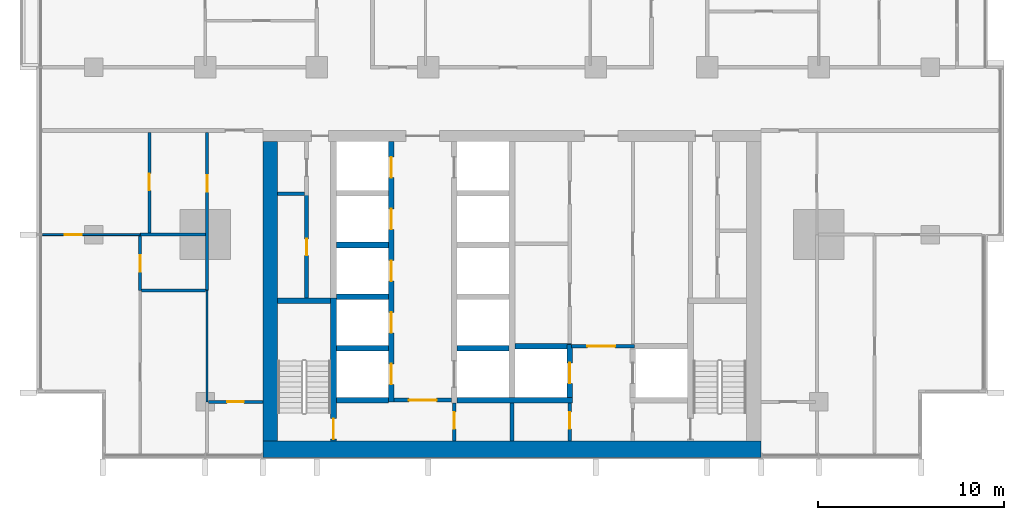
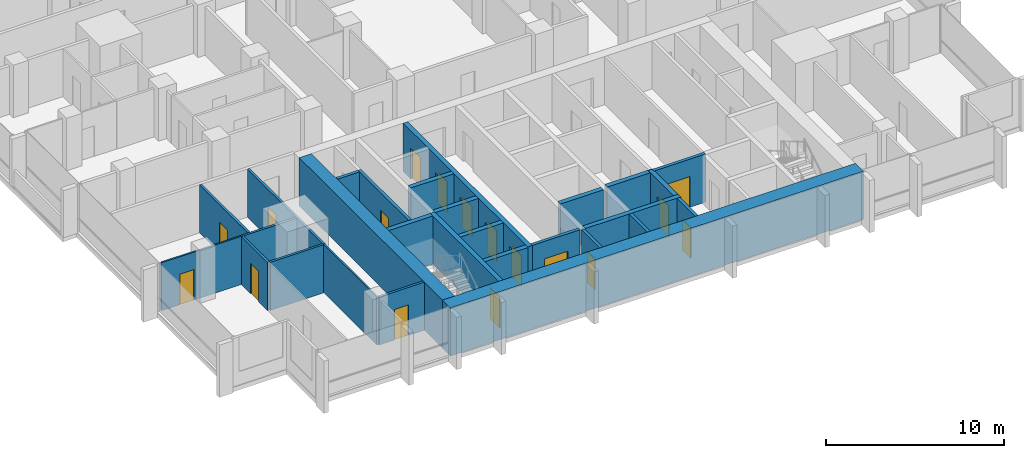
# One storey, part 7 of 18: 28 walls, 17 doors, 17 openings.
"""IFC4 building model written with IfcOpenShell, lengths in metres."""

from ifc_helpers import new_model, si_unit, direction, frame, frame_2d, origin, place, context, subcontext, project, spatial, rectangle, extrude, material, layer, layer_set, type_object, element, fill, save


model = new_model("IFC4")

# Units and contexts
model_context = context("Model", 3, precision=1e-05, world=origin(), true_north=direction((0.0, 1.0)))
body_context = subcontext(model_context, "Body", "Model", "MODEL_VIEW")
ifc_project = project(units=[si_unit("LENGTHUNIT", "METRE"), si_unit("AREAUNIT", "SQUARE_METRE"), si_unit("VOLUMEUNIT", "CUBIC_METRE"), si_unit("PLANEANGLEUNIT", "RADIAN"), si_unit("MASSUNIT", "GRAM", prefix="KILO")], contexts=[model_context])

# Site, building, storey
site_placement = place(None, origin())
site = spatial("IfcSite", under=ifc_project, at=site_placement, CompositionType="ELEMENT")
building_placement = place(site_placement, origin())
building = spatial("IfcBuilding", under=site, at=building_placement, Name="Finial Court Residences", CompositionType="ELEMENT")
storey_placement = place(building_placement, frame((0.0, 0.0, 109.89990234375)))
storey = spatial("IfcBuildingStorey", under=building, at=storey_placement, Name="L27", CompositionType="ELEMENT", Elevation=109.89990234375)

# Walls
ifc_material_1 = material(Name="Concrete C70/85", Category="concrete")
ifc_layer_1 = layer(ifc_material_1, 0.800048828125)
ifc_layer_set_1 = layer_set([ifc_layer_1], Name="Core outer wall 800 Concrete C70/85")
wall_type_1 = type_object("IfcWallType", Name="Core outer wall 800 Concrete C70/85", PredefinedType="SHEAR", material=ifc_layer_set_1)
wall_1_placement = place(storey_placement, frame((-13.0, -24.60009765625, 0.0), z_axis=(0.0, 0.0, 1.0), x_axis=(0.0, 1.0, 0.0)))
element("IfcWall", 1, at=wall_1_placement, inside=storey, type_object=wall_type_1, Name="Core outer wall L27-03", PredefinedType="SHEAR", context=body_context, shape_type="SweptSolid", body=[
    extrude(rectangle(XDim=16.10009765625, YDim=0.800048828125, at=frame_2d((8.050048828125, 0.0))), origin(), (0.0, 0.0, 1.0), 3.300048828125),
])
ifc_layer_2 = layer(ifc_material_1, 0.89990234375)
ifc_layer_set_2 = layer_set([ifc_layer_2], Name="Core south facade wall 900 Concrete C70/85")
wall_type_2 = type_object("IfcWallType", Name="Core south facade wall 900 Concrete C70/85", PredefinedType="SHEAR", material=ifc_layer_set_2)
wall_2_placement = place(storey_placement, frame((-13.39990234375, -25.050048828125, 0.0), z_axis=(0.0, 0.0, 1.0), x_axis=(1.0, 0.0, 0.0)))
element("IfcWall", 2, at=wall_2_placement, inside=storey, type_object=wall_type_2, Name="Core outer wall L27-01", PredefinedType="SHEAR", context=body_context, shape_type="SweptSolid", body=[
    extrude(rectangle(XDim=26.7998046875, YDim=0.89990234375, at=frame_2d((13.39990234375, 0.0))), origin(), (0.0, 0.0, 1.0), 3.300048828125),
])

# Wall, opening, door
ifc_material_2 = material(Name="Fire-rated gypsum board partition")
ifc_layer_3 = layer(ifc_material_2, 0.199951171875)
ifc_layer_set_3 = layer_set([ifc_layer_3], Name="Firefighting lobby wall 200 EI 120")
wall_type_3 = type_object("IfcWallType", Name="Firefighting lobby wall 200 EI 120", PredefinedType="PARTITIONING", material=ifc_layer_set_3)
wall_3_placement = place(storey_placement, frame((6.574951171875, -19.5, 0.0), z_axis=(0.0, 0.0, 1.0), x_axis=(-1.0, 0.0, 0.0)))
wall_3 = element("IfcWall", 3, at=wall_3_placement, inside=storey, type_object=wall_type_3, Name="Core partition L27-08", PredefinedType="PARTITIONING", context=body_context, shape_type="SweptSolid", body=[
    extrude(rectangle(XDim=3.375, YDim=0.199951171875, at=frame_2d((1.6875, 0.0))), origin(), (0.0, 0.0, 1.0), 3.300048828125),
])
opening_1_placement = place(wall_3_placement, frame((1.02490234375, 0.0, 0.0)))
opening_1 = element("IfcOpeningElement", 4, at=opening_1_placement, cuts=wall_3, Name="Opening L27-C02", PredefinedType="OPENING", context=body_context, shape_type="SweptSolid", body=[
    extrude(rectangle(XDim=1.5, YDim=2.10009765625, at=frame_2d((0.75, 1.050048828125))), frame((0.0, 0.10986328125, 0.0), z_axis=(0.0, -1.0, 0.0), x_axis=(1.0, 0.0, 0.0)), (0.0, 0.0, 1.0), 0.219970703125),
])
ifc_material_3 = material(Name="Steel fire door", Category="steel")
door_type_1 = type_object("IfcDoorType", Name="Firefighting lobby door 1500 x 2100 EI 90", OperationType="DOUBLE_DOOR_SINGLE_SWING", PredefinedType="DOOR", material=ifc_material_3)
door_1_placement = place(opening_1_placement, origin())
door_1 = element("IfcDoor", 5, at=door_1_placement, inside=storey, type_object=door_type_1, Name="Firefighting lobby door L27-C02", OperationType="DOUBLE_DOOR_SINGLE_SWING", OverallHeight=2.10009765625, OverallWidth=1.5, PredefinedType="DOOR", context=body_context, shape_type="SweptSolid", body=[
    extrude(rectangle(XDim=1.5, YDim=2.10009765625, at=frame_2d((0.75, 1.050048828125))), frame((0.0, 0.02490234375, 0.0), z_axis=(0.0, -1.0, 0.0), x_axis=(1.0, 0.0, 0.0)), (0.0, 0.0, 1.0), 0.050048828125),
])
fill(opening_1, door_1)

wall_4_placement = place(storey_placement, frame((3.10009765625, -24.60009765625, 0.0), z_axis=(0.0, 0.0, 1.0), x_axis=(0.0, 1.0, 0.0)))
wall_4 = element("IfcWall", 6, at=wall_4_placement, inside=storey, type_object=wall_type_3, Name="Core partition L27-30", PredefinedType="PARTITIONING", context=body_context, shape_type="SweptSolid", body=[
    extrude(rectangle(XDim=2.050048828125, YDim=0.199951171875, at=frame_2d((1.02490234375, 0.0))), origin(), (0.0, 0.0, 1.0), 3.300048828125),
])
opening_2_placement = place(wall_4_placement, frame((0.64990234375, 0.0, 0.0)))
opening_2 = element("IfcOpeningElement", 7, at=opening_2_placement, cuts=wall_4, Name="Opening L27-C06", PredefinedType="OPENING", context=body_context, shape_type="SweptSolid", body=[
    extrude(rectangle(XDim=0.89990234375, YDim=2.10009765625, at=frame_2d((0.449951171875, 1.050048828125))), frame((0.0, 0.10986328125, 0.0), z_axis=(0.0, -1.0, 0.0), x_axis=(1.0, 0.0, 0.0)), (0.0, 0.0, 1.0), 0.219970703125),
])
door_type_2 = type_object("IfcDoorType", Name="Riser room door 900 x 2100 EI 90", OperationType="NOTDEFINED", PredefinedType="DOOR", material=ifc_material_3)
door_2_placement = place(opening_2_placement, origin())
door_2 = element("IfcDoor", 8, at=door_2_placement, inside=storey, type_object=door_type_2, Name="Riser room door L27-C06", OperationType="SINGLE_SWING_LEFT", OverallHeight=2.10009765625, OverallWidth=0.89990234375, PredefinedType="DOOR", context=body_context, shape_type="SweptSolid", body=[
    extrude(rectangle(XDim=0.89990234375, YDim=2.10009765625, at=frame_2d((0.449951171875, 1.050048828125))), frame((0.0, 0.02490234375, 0.0), z_axis=(0.0, -1.0, 0.0), x_axis=(1.0, 0.0, 0.0)), (0.0, 0.0, 1.0), 0.050048828125),
])
fill(opening_2, door_2)

ifc_material_4 = material(Name="Gypsum board")
ifc_layer_4 = layer(ifc_material_4, 0.012451171875)
ifc_material_5 = material(Name="Mineral wool in light-gauge frame")
ifc_layer_5 = layer(ifc_material_5, 0.074951171875)
ifc_layer_6 = layer(ifc_material_4, 0.012451171875)
ifc_layer_set_4 = layer_set([ifc_layer_4, ifc_layer_5, ifc_layer_6], Name="Gypsum board partition 100")
wall_type_4 = type_object("IfcWallType", Name="Gypsum board partition 100", PredefinedType="PARTITIONING", material=ifc_layer_set_4)
wall_5_placement = place(storey_placement, frame((-25.25, -13.5, 0.0), z_axis=(0.0, 0.0, 1.0), x_axis=(1.0, 0.0, 0.0)))
wall_5 = element("IfcWall", 9, at=wall_5_placement, inside=storey, type_object=wall_type_4, Name="Partition L27-003", PredefinedType="PARTITIONING", context=body_context, shape_type="SweptSolid", body=[
    extrude(rectangle(XDim=5.25, YDim=0.10009765625, at=frame_2d((2.625, 0.0))), origin(), (0.0, 0.0, 1.0), 3.300048828125),
])
opening_3_placement = place(wall_5_placement, frame((1.199951171875, 0.0, 0.0)))
opening_3 = element("IfcOpeningElement", 10, at=opening_3_placement, cuts=wall_5, Name="Opening L27-D003", PredefinedType="OPENING", context=body_context, shape_type="SweptSolid", body=[
    extrude(rectangle(XDim=0.89990234375, YDim=2.10009765625, at=frame_2d((0.449951171875, 1.050048828125))), frame((0.0, 0.06005859375, 0.0), z_axis=(0.0, -1.0, 0.0), x_axis=(1.0, 0.0, 0.0)), (0.0, 0.0, 1.0), 0.1201171875),
])
ifc_material_6 = material(Name="Timber door leaf in timber frame", Category="wood")
door_type_3 = type_object("IfcDoorType", Name="Door set 900 x 2100", OperationType="SINGLE_SWING_LEFT", PredefinedType="DOOR", material=ifc_material_6)
door_3_placement = place(opening_3_placement, origin())
door_3 = element("IfcDoor", 11, at=door_3_placement, inside=storey, type_object=door_type_3, Name="Door L27-D003", OperationType="SINGLE_SWING_LEFT", OverallHeight=2.10009765625, OverallWidth=0.89990234375, PredefinedType="DOOR", context=body_context, shape_type="SweptSolid", body=[
    extrude(rectangle(XDim=0.89990234375, YDim=2.10009765625, at=frame_2d((0.449951171875, 1.050048828125))), frame((0.0, 0.02490234375, 0.0), z_axis=(0.0, -1.0, 0.0), x_axis=(1.0, 0.0, 0.0)), (0.0, 0.0, 1.0), 0.050048828125),
])
fill(opening_3, door_3)

# Wall
wall_6_placement = place(storey_placement, frame((-16.39990234375, -22.5, 0.0), z_axis=(0.0, 0.0, 1.0), x_axis=(0.0, 1.0, 0.0)))
element("IfcWall", 12, at=wall_6_placement, inside=storey, type_object=wall_type_4, Name="Partition L27-055", PredefinedType="PARTITIONING", context=body_context, shape_type="SweptSolid", body=[
    extrude(rectangle(XDim=6.0, YDim=0.10009765625, at=frame_2d((3.0, 0.0))), origin(), (0.0, 0.0, 1.0), 3.300048828125),
])

# Wall, opening, door
ifc_material_7 = material(Name="Moisture-resistant gypsum board")
ifc_layer_7 = layer(ifc_material_7, 0.012451171875)
ifc_layer_8 = layer(ifc_material_5, 0.125)
ifc_layer_9 = layer(ifc_material_7, 0.012451171875)
ifc_layer_set_5 = layer_set([ifc_layer_7, ifc_layer_8, ifc_layer_9], Name="Gypsum board wet-area partition 150")
wall_type_5 = type_object("IfcWallType", Name="Gypsum board wet-area partition 150", PredefinedType="PARTITIONING", material=ifc_layer_set_5)
wall_7_placement = place(storey_placement, frame((-16.324951171875, -22.5, 0.0), z_axis=(0.0, 0.0, 1.0), x_axis=(1.0, 0.0, 0.0)))
wall_7 = element("IfcWall", 13, at=wall_7_placement, inside=storey, type_object=wall_type_5, Name="Partition L27-000", PredefinedType="PARTITIONING", context=body_context, shape_type="SweptSolid", body=[
    extrude(rectangle(XDim=2.925048828125, YDim=0.14990234375, at=frame_2d((1.46240234375, 0.0))), origin(), (0.0, 0.0, 1.0), 3.300048828125),
])
opening_4_placement = place(wall_7_placement, frame((1.0, 0.0, 0.0)))
opening_4 = element("IfcOpeningElement", 14, at=opening_4_placement, cuts=wall_7, Name="Opening L27-D001", PredefinedType="OPENING", context=body_context, shape_type="SweptSolid", body=[
    extrude(rectangle(XDim=0.89990234375, YDim=2.10009765625, at=frame_2d((0.449951171875, 1.050048828125))), frame((0.0, 0.0849609375, 0.0), z_axis=(0.0, -1.0, 0.0), x_axis=(1.0, 0.0, 0.0)), (0.0, 0.0, 1.0), 0.169921875),
])
door_4_placement = place(opening_4_placement, origin())
door_4 = element("IfcDoor", 15, at=door_4_placement, inside=storey, type_object=door_type_3, Name="Door L27-D001", OperationType="SINGLE_SWING_RIGHT", OverallHeight=2.10009765625, OverallWidth=0.89990234375, PredefinedType="DOOR", context=body_context, shape_type="SweptSolid", body=[
    extrude(rectangle(XDim=0.89990234375, YDim=2.10009765625, at=frame_2d((0.449951171875, 1.050048828125))), frame((0.0, 0.02490234375, 0.0), z_axis=(0.0, -1.0, 0.0), x_axis=(1.0, 0.0, 0.0)), (0.0, 0.0, 1.0), 0.050048828125),
])
fill(opening_4, door_4)

# Walls
wall_8_placement = place(storey_placement, frame((-19.925048828125, -16.5, 0.0), z_axis=(0.0, 0.0, 1.0), x_axis=(1.0, 0.0, 0.0)))
element("IfcWall", 16, at=wall_8_placement, inside=storey, type_object=wall_type_5, Name="Partition L27-002", PredefinedType="PARTITIONING", context=body_context, shape_type="SweptSolid", body=[
    extrude(rectangle(XDim=3.449951171875, YDim=0.14990234375, at=frame_2d((1.72509765625, 0.0))), origin(), (0.0, 0.0, 1.0), 3.300048828125),
])
wall_9_placement = place(storey_placement, frame((-20.0, -13.5, 0.0), z_axis=(0.0, 0.0, 1.0), x_axis=(1.0, 0.0, 0.0)))
element("IfcWall", 17, at=wall_9_placement, inside=storey, type_object=wall_type_5, Name="Partition L27-005", PredefinedType="PARTITIONING", context=body_context, shape_type="SweptSolid", body=[
    extrude(rectangle(XDim=3.52490234375, YDim=0.14990234375, at=frame_2d((1.762451171875, 0.0))), origin(), (0.0, 0.0, 1.0), 3.300048828125),
])

# Wall, opening, door
wall_10_placement = place(storey_placement, frame((-20.0, -16.5, 0.0), z_axis=(0.0, 0.0, 1.0), x_axis=(0.0, 1.0, 0.0)))
wall_10 = element("IfcWall", 18, at=wall_10_placement, inside=storey, type_object=wall_type_5, Name="Partition L27-045", PredefinedType="PARTITIONING", context=body_context, shape_type="SweptSolid", body=[
    extrude(rectangle(XDim=2.925048828125, YDim=0.14990234375, at=frame_2d((1.46240234375, 0.0))), origin(), (0.0, 0.0, 1.0), 3.300048828125),
])
opening_5_placement = place(wall_10_placement, frame((1.0, 0.0, 0.0)))
opening_5 = element("IfcOpeningElement", 19, at=opening_5_placement, cuts=wall_10, Name="Opening L27-D035", PredefinedType="OPENING", context=body_context, shape_type="SweptSolid", body=[
    extrude(rectangle(XDim=0.89990234375, YDim=2.10009765625, at=frame_2d((0.449951171875, 1.050048828125))), frame((0.0, 0.0849609375, 0.0), z_axis=(0.0, -1.0, 0.0), x_axis=(1.0, 0.0, 0.0)), (0.0, 0.0, 1.0), 0.169921875),
])
door_5_placement = place(opening_5_placement, origin())
door_5 = element("IfcDoor", 20, at=door_5_placement, inside=storey, type_object=door_type_3, Name="Door L27-D035", OperationType="SINGLE_SWING_LEFT", OverallHeight=2.10009765625, OverallWidth=0.89990234375, PredefinedType="DOOR", context=body_context, shape_type="SweptSolid", body=[
    extrude(rectangle(XDim=0.89990234375, YDim=2.10009765625, at=frame_2d((0.449951171875, 1.050048828125))), frame((0.0, 0.02490234375, 0.0), z_axis=(0.0, -1.0, 0.0), x_axis=(1.0, 0.0, 0.0)), (0.0, 0.0, 1.0), 0.050048828125),
])
fill(opening_5, door_5)

wall_11_placement = place(storey_placement, frame((-19.5, -13.425048828125, 0.0), z_axis=(0.0, 0.0, 1.0), x_axis=(0.0, 1.0, 0.0)))
wall_11 = element("IfcWall", 21, at=wall_11_placement, inside=storey, type_object=wall_type_5, Name="Partition L27-048", PredefinedType="PARTITIONING", context=body_context, shape_type="SweptSolid", body=[
    extrude(rectangle(XDim=5.425048828125, YDim=0.14990234375, at=frame_2d((2.71240234375, 0.0))), origin(), (0.0, 0.0, 1.0), 3.300048828125),
])
opening_6_placement = place(wall_11_placement, frame((2.300048828125, 0.0, 0.0)))
opening_6 = element("IfcOpeningElement", 22, at=opening_6_placement, cuts=wall_11, Name="Opening L27-D037", PredefinedType="OPENING", context=body_context, shape_type="SweptSolid", body=[
    extrude(rectangle(XDim=0.89990234375, YDim=2.10009765625, at=frame_2d((0.449951171875, 1.050048828125))), frame((0.0, 0.0849609375, 0.0), z_axis=(0.0, -1.0, 0.0), x_axis=(1.0, 0.0, 0.0)), (0.0, 0.0, 1.0), 0.169921875),
])
door_6_placement = place(opening_6_placement, origin())
door_6 = element("IfcDoor", 23, at=door_6_placement, inside=storey, type_object=door_type_3, Name="Door L27-D037", OperationType="SINGLE_SWING_RIGHT", OverallHeight=2.10009765625, OverallWidth=0.89990234375, PredefinedType="DOOR", context=body_context, shape_type="SweptSolid", body=[
    extrude(rectangle(XDim=0.89990234375, YDim=2.10009765625, at=frame_2d((0.449951171875, 1.050048828125))), frame((0.0, 0.02490234375, 0.0), z_axis=(0.0, -1.0, 0.0), x_axis=(1.0, 0.0, 0.0)), (0.0, 0.0, 1.0), 0.050048828125),
])
fill(opening_6, door_6)

wall_12_placement = place(storey_placement, frame((-16.39990234375, -16.5, 0.0), z_axis=(0.0, 0.0, 1.0), x_axis=(0.0, 1.0, 0.0)))
wall_12 = element("IfcWall", 24, at=wall_12_placement, inside=storey, type_object=wall_type_5, Name="Partition L27-057", PredefinedType="PARTITIONING", context=body_context, shape_type="SweptSolid", body=[
    extrude(rectangle(XDim=8.5, YDim=0.14990234375, at=frame_2d((4.25, 0.0))), origin(), (0.0, 0.0, 1.0), 3.300048828125),
])
opening_7_placement = place(wall_12_placement, frame((5.300048828125, 0.0, 0.0)))
opening_7 = element("IfcOpeningElement", 25, at=opening_7_placement, cuts=wall_12, Name="Opening L27-D040", PredefinedType="OPENING", context=body_context, shape_type="SweptSolid", body=[
    extrude(rectangle(XDim=0.89990234375, YDim=2.10009765625, at=frame_2d((0.449951171875, 1.050048828125))), frame((0.0, 0.0849609375, 0.0), z_axis=(0.0, -1.0, 0.0), x_axis=(1.0, 0.0, 0.0)), (0.0, 0.0, 1.0), 0.169921875),
])
door_7_placement = place(opening_7_placement, origin())
door_7 = element("IfcDoor", 26, at=door_7_placement, inside=storey, type_object=door_type_3, Name="Door L27-D040", OperationType="SINGLE_SWING_LEFT", OverallHeight=2.10009765625, OverallWidth=0.89990234375, PredefinedType="DOOR", context=body_context, shape_type="SweptSolid", body=[
    extrude(rectangle(XDim=0.89990234375, YDim=2.10009765625, at=frame_2d((0.449951171875, 1.050048828125))), frame((0.0, 0.02490234375, 0.0), z_axis=(0.0, -1.0, 0.0), x_axis=(1.0, 0.0, 0.0)), (0.0, 0.0, 1.0), 0.050048828125),
])
fill(opening_7, door_7)

# Walls
ifc_layer_10 = layer(ifc_material_1, 0.300048828125)
ifc_layer_set_6 = layer_set([ifc_layer_10], Name="Lift shaft and stair wall 300 Concrete C70/85")
wall_type_6 = type_object("IfcWallType", Name="Lift shaft and stair wall 300 Concrete C70/85", PredefinedType="SHEAR", material=ifc_layer_set_6)
wall_13_placement = place(storey_placement, frame((-9.449951171875, -22.39990234375, 0.0), z_axis=(0.0, 0.0, 1.0), x_axis=(1.0, 0.0, 0.0)))
element("IfcWall", 27, at=wall_13_placement, inside=storey, type_object=wall_type_6, Name="Core wall L27-01", PredefinedType="SHEAR", context=body_context, shape_type="SweptSolid", body=[
    extrude(rectangle(XDim=2.800048828125, YDim=0.300048828125, at=frame_2d((1.39990234375, 0.0))), origin(), (0.0, 0.0, 1.0), 3.300048828125),
])
wall_14_placement = place(storey_placement, frame((-2.949951171875, -22.39990234375, 0.0), z_axis=(0.0, 0.0, 1.0), x_axis=(1.0, 0.0, 0.0)))
element("IfcWall", 28, at=wall_14_placement, inside=storey, type_object=wall_type_6, Name="Core wall L27-03", PredefinedType="SHEAR", context=body_context, shape_type="SweptSolid", body=[
    extrude(rectangle(XDim=6.199951171875, YDim=0.300048828125, at=frame_2d((3.10009765625, 0.0))), origin(), (0.0, 0.0, 1.0), 3.300048828125),
])
for number, where, z_axis, x_axis, name in (
    (29, (-9.449951171875, -19.6201171875, 0.0), (0.0, 0.0, 1.0), (1.0, 0.0, 0.0), "Core wall L27-05"),
    (30, (-2.949951171875, -19.6201171875, 0.0), (0.0, 0.0, 1.0), (1.0, 0.0, 0.0), "Core wall L27-06"),
):
    element("IfcWall", number, at=place(storey_placement, frame(where, z_axis=z_axis, x_axis=x_axis)), inside=storey, type_object=wall_type_6, Name=name, PredefinedType="SHEAR", context=body_context, shape_type="SweptSolid", body=[
        extrude(rectangle(XDim=2.800048828125, YDim=0.300048828125, at=frame_2d((1.39990234375, 0.0))), origin(), (0.0, 0.0, 1.0), 3.300048828125),
    ])
wall_15_placement = place(storey_placement, frame((0.14990234375, -19.5, 0.0), z_axis=(0.0, 0.0, 1.0), x_axis=(1.0, 0.0, 0.0)))
element("IfcWall", 31, at=wall_15_placement, inside=storey, type_object=wall_type_6, Name="Core wall L27-07", PredefinedType="SHEAR", context=body_context, shape_type="SweptSolid", body=[
    extrude(rectangle(XDim=3.050048828125, YDim=0.300048828125, at=frame_2d((1.52490234375, 0.0))), origin(), (0.0, 0.0, 1.0), 3.300048828125),
])
wall_16_placement = place(storey_placement, frame((-12.60009765625, -17.050048828125, 0.0), z_axis=(0.0, 0.0, 1.0), x_axis=(1.0, 0.0, 0.0)))
element("IfcWall", 32, at=wall_16_placement, inside=storey, type_object=wall_type_6, Name="Core wall L27-10", PredefinedType="SHEAR", context=body_context, shape_type="SweptSolid", body=[
    extrude(rectangle(XDim=2.85009765625, YDim=0.300048828125, at=frame_2d((1.425048828125, 0.0))), origin(), (0.0, 0.0, 1.0), 3.300048828125),
])
for number, where, z_axis, x_axis, name in (
    (33, (-9.449951171875, -16.840087890625, 0.0), (0.0, 0.0, 1.0), (1.0, 0.0, 0.0), "Core wall L27-12"),
    (34, (-9.449951171875, -14.06005859375, 0.0), (0.0, 0.0, 1.0), (1.0, 0.0, 0.0), "Core wall L27-14"),
):
    element("IfcWall", number, at=place(storey_placement, frame(where, z_axis=z_axis, x_axis=x_axis)), inside=storey, type_object=wall_type_6, Name=name, PredefinedType="SHEAR", context=body_context, shape_type="SweptSolid", body=[
        extrude(rectangle(XDim=2.800048828125, YDim=0.300048828125, at=frame_2d((1.39990234375, 0.0))), origin(), (0.0, 0.0, 1.0), 3.300048828125),
    ])

# Wall, opening, door
wall_17_placement = place(storey_placement, frame((-9.60009765625, -24.60009765625, 0.0), z_axis=(0.0, 0.0, 1.0), x_axis=(0.0, 1.0, 0.0)))
wall_17 = element("IfcWall", 35, at=wall_17_placement, inside=storey, type_object=wall_type_6, Name="Core wall L27-23", PredefinedType="SHEAR", context=body_context, shape_type="SweptSolid", body=[
    extrude(rectangle(XDim=7.7001953125, YDim=0.300048828125, at=frame_2d((3.85009765625, 0.0))), origin(), (0.0, 0.0, 1.0), 3.300048828125),
])
opening_8_placement = place(wall_17_placement, frame((0.10009765625, 0.0, 0.0)))
opening_8 = element("IfcOpeningElement", 36, at=opening_8_placement, cuts=wall_17, Name="Opening L27-C17", PredefinedType="OPENING", context=body_context, shape_type="SweptSolid", body=[
    extrude(rectangle(XDim=1.10009765625, YDim=2.10009765625, at=frame_2d((0.550048828125, 1.050048828125))), frame((0.0, 0.159912109375, 0.0), z_axis=(0.0, -1.0, 0.0), x_axis=(1.0, 0.0, 0.0)), (0.0, 0.0, 1.0), 0.320068359375),
])
door_type_4 = type_object("IfcDoorType", Name="Stair door 1100 x 2100 EI 90", OperationType="NOTDEFINED", PredefinedType="DOOR", material=ifc_material_3)
door_8_placement = place(opening_8_placement, origin())
door_8 = element("IfcDoor", 37, at=door_8_placement, inside=storey, type_object=door_type_4, Name="Stair door L27-C17", OperationType="SINGLE_SWING_LEFT", OverallHeight=2.10009765625, OverallWidth=1.10009765625, PredefinedType="DOOR", context=body_context, shape_type="SweptSolid", body=[
    extrude(rectangle(XDim=1.10009765625, YDim=2.10009765625, at=frame_2d((0.550048828125, 1.050048828125))), frame((0.0, 0.02490234375, 0.0), z_axis=(0.0, -1.0, 0.0), x_axis=(1.0, 0.0, 0.0)), (0.0, 0.0, 1.0), 0.050048828125),
])
fill(opening_8, door_8)

# Wall, openings, doors
wall_18_placement = place(storey_placement, frame((-6.5, -22.5, 0.0), z_axis=(0.0, 0.0, 1.0), x_axis=(0.0, 1.0, 0.0)))
wall_18 = element("IfcWall", 38, at=wall_18_placement, inside=storey, type_object=wall_type_6, Name="Core wall L27-25", PredefinedType="SHEAR", context=body_context, shape_type="SweptSolid", body=[
    extrude(rectangle(XDim=14.0, YDim=0.300048828125, at=frame_2d((7.0, 0.0))), origin(), (0.0, 0.0, 1.0), 3.300048828125),
])
opening_9_placement = place(wall_18_placement, frame((0.93994140625, 0.0, 0.0)))
opening_9 = element("IfcOpeningElement", 39, at=opening_9_placement, cuts=wall_18, Name="Opening L27-LD03", PredefinedType="OPENING", context=body_context, shape_type="SweptSolid", body=[
    extrude(rectangle(XDim=1.10009765625, YDim=2.10009765625, at=frame_2d((0.550048828125, 1.050048828125))), frame((0.0, 0.159912109375, 0.0), z_axis=(0.0, -1.0, 0.0), x_axis=(1.0, 0.0, 0.0)), (0.0, 0.0, 1.0), 0.320068359375),
])
opening_10_placement = place(wall_18_placement, frame((3.719970703125, 0.0, 0.0)))
opening_10 = element("IfcOpeningElement", 40, at=opening_10_placement, cuts=wall_18, Name="Opening L27-LD04", PredefinedType="OPENING", context=body_context, shape_type="SweptSolid", body=[
    extrude(rectangle(XDim=1.10009765625, YDim=2.10009765625, at=frame_2d((0.550048828125, 1.050048828125))), frame((0.0, 0.159912109375, 0.0), z_axis=(0.0, -1.0, 0.0), x_axis=(1.0, 0.0, 0.0)), (0.0, 0.0, 1.0), 0.320068359375),
])
opening_11_placement = place(wall_18_placement, frame((6.5, 0.0, 0.0)))
opening_11 = element("IfcOpeningElement", 41, at=opening_11_placement, cuts=wall_18, Name="Opening L27-LD05", PredefinedType="OPENING", context=body_context, shape_type="SweptSolid", body=[
    extrude(rectangle(XDim=1.10009765625, YDim=2.10009765625, at=frame_2d((0.550048828125, 1.050048828125))), frame((0.0, 0.159912109375, 0.0), z_axis=(0.0, -1.0, 0.0), x_axis=(1.0, 0.0, 0.0)), (0.0, 0.0, 1.0), 0.320068359375),
])
opening_12_placement = place(wall_18_placement, frame((9.280029296875, 0.0, 0.0)))
opening_12 = element("IfcOpeningElement", 42, at=opening_12_placement, cuts=wall_18, Name="Opening L27-LD06", PredefinedType="OPENING", context=body_context, shape_type="SweptSolid", body=[
    extrude(rectangle(XDim=1.10009765625, YDim=2.10009765625, at=frame_2d((0.550048828125, 1.050048828125))), frame((0.0, 0.159912109375, 0.0), z_axis=(0.0, -1.0, 0.0), x_axis=(1.0, 0.0, 0.0)), (0.0, 0.0, 1.0), 0.320068359375),
])
opening_13_placement = place(wall_18_placement, frame((12.06005859375, 0.0, 0.0)))
opening_13 = element("IfcOpeningElement", 43, at=opening_13_placement, cuts=wall_18, Name="Opening L27-LD07", PredefinedType="OPENING", context=body_context, shape_type="SweptSolid", body=[
    extrude(rectangle(XDim=1.10009765625, YDim=2.10009765625, at=frame_2d((0.550048828125, 1.050048828125))), frame((0.0, 0.159912109375, 0.0), z_axis=(0.0, -1.0, 0.0), x_axis=(1.0, 0.0, 0.0)), (0.0, 0.0, 1.0), 0.320068359375),
])
ifc_material_8 = material(Name="Stainless steel lift door", Category="steel")
door_type_5 = type_object("IfcDoorType", Name="Lift landing door 1100 x 2100 EI 90", OperationType="DOUBLE_DOOR_SLIDING", PredefinedType="DOOR", material=ifc_material_8)
door_9_placement = place(opening_9_placement, origin())
door_9 = element("IfcDoor", 44, at=door_9_placement, inside=storey, type_object=door_type_5, Name="Lift landing door LR1 L27", OperationType="DOUBLE_DOOR_SLIDING", OverallHeight=2.10009765625, OverallWidth=1.10009765625, PredefinedType="DOOR", context=body_context, shape_type="SweptSolid", body=[
    extrude(rectangle(XDim=1.10009765625, YDim=2.10009765625, at=frame_2d((0.550048828125, 1.050048828125))), frame((0.0, 0.02490234375, 0.0), z_axis=(0.0, -1.0, 0.0), x_axis=(1.0, 0.0, 0.0)), (0.0, 0.0, 1.0), 0.050048828125),
])
fill(opening_9, door_9)
door_10_placement = place(opening_10_placement, origin())
door_10 = element("IfcDoor", 45, at=door_10_placement, inside=storey, type_object=door_type_5, Name="Lift landing door LR2 L27", OperationType="DOUBLE_DOOR_SLIDING", OverallHeight=2.10009765625, OverallWidth=1.10009765625, PredefinedType="DOOR", context=body_context, shape_type="SweptSolid", body=[
    extrude(rectangle(XDim=1.10009765625, YDim=2.10009765625, at=frame_2d((0.550048828125, 1.050048828125))), frame((0.0, 0.02490234375, 0.0), z_axis=(0.0, -1.0, 0.0), x_axis=(1.0, 0.0, 0.0)), (0.0, 0.0, 1.0), 0.050048828125),
])
fill(opening_10, door_10)
door_11_placement = place(opening_11_placement, origin())
door_11 = element("IfcDoor", 46, at=door_11_placement, inside=storey, type_object=door_type_5, Name="Lift landing door LR3 L27", OperationType="DOUBLE_DOOR_SLIDING", OverallHeight=2.10009765625, OverallWidth=1.10009765625, PredefinedType="DOOR", context=body_context, shape_type="SweptSolid", body=[
    extrude(rectangle(XDim=1.10009765625, YDim=2.10009765625, at=frame_2d((0.550048828125, 1.050048828125))), frame((0.0, 0.02490234375, 0.0), z_axis=(0.0, -1.0, 0.0), x_axis=(1.0, 0.0, 0.0)), (0.0, 0.0, 1.0), 0.050048828125),
])
fill(opening_11, door_11)
door_12_placement = place(opening_12_placement, origin())
door_12 = element("IfcDoor", 47, at=door_12_placement, inside=storey, type_object=door_type_5, Name="Lift landing door LR4 L27", OperationType="DOUBLE_DOOR_SLIDING", OverallHeight=2.10009765625, OverallWidth=1.10009765625, PredefinedType="DOOR", context=body_context, shape_type="SweptSolid", body=[
    extrude(rectangle(XDim=1.10009765625, YDim=2.10009765625, at=frame_2d((0.550048828125, 1.050048828125))), frame((0.0, 0.02490234375, 0.0), z_axis=(0.0, -1.0, 0.0), x_axis=(1.0, 0.0, 0.0)), (0.0, 0.0, 1.0), 0.050048828125),
])
fill(opening_12, door_12)
door_13_placement = place(opening_13_placement, origin())
door_13 = element("IfcDoor", 48, at=door_13_placement, inside=storey, type_object=door_type_5, Name="Lift landing door LR5 L27", OperationType="DOUBLE_DOOR_SLIDING", OverallHeight=2.10009765625, OverallWidth=1.10009765625, PredefinedType="DOOR", context=body_context, shape_type="SweptSolid", body=[
    extrude(rectangle(XDim=1.10009765625, YDim=2.10009765625, at=frame_2d((0.550048828125, 1.050048828125))), frame((0.0, 0.02490234375, 0.0), z_axis=(0.0, -1.0, 0.0), x_axis=(1.0, 0.0, 0.0)), (0.0, 0.0, 1.0), 0.050048828125),
])
fill(opening_13, door_13)

# Wall, opening, door
wall_19_placement = place(storey_placement, frame((3.10009765625, -22.25, 0.0), z_axis=(0.0, 0.0, 1.0), x_axis=(0.0, 1.0, 0.0)))
wall_19 = element("IfcWall", 49, at=wall_19_placement, inside=storey, type_object=wall_type_6, Name="Core wall L27-31", PredefinedType="SHEAR", context=body_context, shape_type="SweptSolid", body=[
    extrude(rectangle(XDim=2.85009765625, YDim=0.300048828125, at=frame_2d((1.425048828125, 0.0))), origin(), (0.0, 0.0, 1.0), 3.300048828125),
])
opening_14_placement = place(wall_19_placement, frame((0.75, 0.0, 0.0)))
opening_14 = element("IfcOpeningElement", 50, at=opening_14_placement, cuts=wall_19, Name="Opening L27-LD01", PredefinedType="OPENING", context=body_context, shape_type="SweptSolid", body=[
    extrude(rectangle(XDim=1.10009765625, YDim=2.10009765625, at=frame_2d((0.550048828125, 1.050048828125))), frame((0.0, 0.159912109375, 0.0), z_axis=(0.0, -1.0, 0.0), x_axis=(1.0, 0.0, 0.0)), (0.0, 0.0, 1.0), 0.320068359375),
])
door_14_placement = place(opening_14_placement, origin())
door_14 = element("IfcDoor", 51, at=door_14_placement, inside=storey, type_object=door_type_5, Name="Lift landing door FF1 L27", OperationType="DOUBLE_DOOR_SLIDING", OverallHeight=2.10009765625, OverallWidth=1.10009765625, PredefinedType="DOOR", context=body_context, shape_type="SweptSolid", body=[
    extrude(rectangle(XDim=1.10009765625, YDim=2.10009765625, at=frame_2d((0.550048828125, 1.050048828125))), frame((0.0, 0.02490234375, 0.0), z_axis=(0.0, -1.0, 0.0), x_axis=(1.0, 0.0, 0.0)), (0.0, 0.0, 1.0), 0.050048828125),
])
fill(opening_14, door_14)

# Walls
ifc_layer_11 = layer(ifc_material_2, 0.199951171875)
ifc_layer_set_7 = layer_set([ifc_layer_11], Name="Riser room wall 200 EI 120")
wall_type_7 = type_object("IfcWallType", Name="Riser room wall 200 EI 120", PredefinedType="PARTITIONING", material=ifc_layer_set_7)
wall_20_placement = place(storey_placement, frame((-12.60009765625, -11.300048828125, 0.0), z_axis=(0.0, 0.0, 1.0), x_axis=(1.0, 0.0, 0.0)))
element("IfcWall", 52, at=wall_20_placement, inside=storey, type_object=wall_type_7, Name="Core partition L27-18", PredefinedType="PARTITIONING", context=body_context, shape_type="SweptSolid", body=[
    extrude(rectangle(XDim=1.4501953125, YDim=0.199951171875, at=frame_2d((0.72509765625, 0.0))), origin(), (0.0, 0.0, 1.0), 3.300048828125),
])
wall_21_placement = place(storey_placement, frame((0.0, -24.60009765625, 0.0), z_axis=(0.0, 0.0, 1.0), x_axis=(0.0, 1.0, 0.0)))
element("IfcWall", 53, at=wall_21_placement, inside=storey, type_object=wall_type_7, Name="Core partition L27-28", PredefinedType="PARTITIONING", context=body_context, shape_type="SweptSolid", body=[
    extrude(rectangle(XDim=2.050048828125, YDim=0.199951171875, at=frame_2d((1.02490234375, 0.0))), origin(), (0.0, 0.0, 1.0), 3.300048828125),
])

# Wall, opening, door
ifc_layer_12 = layer(ifc_material_2, 0.199951171875)
ifc_layer_set_8 = layer_set([ifc_layer_12], Name="Stair passage wall 200 EI 180")
wall_type_8 = type_object("IfcWallType", Name="Stair passage wall 200 EI 180", PredefinedType="PARTITIONING", material=ifc_layer_set_8)
wall_22_placement = place(storey_placement, frame((-3.25, -22.39990234375, 0.0), z_axis=(0.0, 0.0, 1.0), x_axis=(-1.0, 0.0, 0.0)))
wall_22 = element("IfcWall", 54, at=wall_22_placement, inside=storey, type_object=wall_type_8, Name="Core partition L27-02", PredefinedType="PARTITIONING", context=body_context, shape_type="SweptSolid", body=[
    extrude(rectangle(XDim=3.10009765625, YDim=0.199951171875, at=frame_2d((1.550048828125, 0.0))), origin(), (0.0, 0.0, 1.0), 3.300048828125),
])
opening_15_placement = place(wall_22_placement, frame((0.800048828125, 0.0, 0.0)))
opening_15 = element("IfcOpeningElement", 55, at=opening_15_placement, cuts=wall_22, Name="Opening L27-C03", PredefinedType="OPENING", context=body_context, shape_type="SweptSolid", body=[
    extrude(rectangle(XDim=1.5, YDim=2.10009765625, at=frame_2d((0.75, 1.050048828125))), frame((0.0, 0.10986328125, 0.0), z_axis=(0.0, -1.0, 0.0), x_axis=(1.0, 0.0, 0.0)), (0.0, 0.0, 1.0), 0.219970703125),
])
door_type_6 = type_object("IfcDoorType", Name="Lift lobby door 1500 x 2100 EI 60", OperationType="DOUBLE_DOOR_SINGLE_SWING", PredefinedType="DOOR", material=ifc_material_3)
door_15_placement = place(opening_15_placement, origin())
door_15 = element("IfcDoor", 56, at=door_15_placement, inside=storey, type_object=door_type_6, Name="Lift lobby door L27-C03", OperationType="DOUBLE_DOOR_SINGLE_SWING", OverallHeight=2.10009765625, OverallWidth=1.5, PredefinedType="DOOR", context=body_context, shape_type="SweptSolid", body=[
    extrude(rectangle(XDim=1.5, YDim=2.10009765625, at=frame_2d((0.75, 1.050048828125))), frame((0.0, 0.02490234375, 0.0), z_axis=(0.0, -1.0, 0.0), x_axis=(1.0, 0.0, 0.0)), (0.0, 0.0, 1.0), 0.050048828125),
])
fill(opening_15, door_15)

wall_23_placement = place(storey_placement, frame((-11.050048828125, -16.89990234375, 0.0), z_axis=(0.0, 0.0, 1.0), x_axis=(0.0, 1.0, 0.0)))
wall_23 = element("IfcWall", 57, at=wall_23_placement, inside=storey, type_object=wall_type_8, Name="Core partition L27-21", PredefinedType="PARTITIONING", context=body_context, shape_type="SweptSolid", body=[
    extrude(rectangle(XDim=5.699951171875, YDim=0.199951171875, at=frame_2d((2.85009765625, 0.0))), origin(), (0.0, 0.0, 1.0), 3.300048828125),
])
opening_16_placement = place(wall_23_placement, frame((2.27490234375, 0.0, 0.0)))
opening_16 = element("IfcOpeningElement", 58, at=opening_16_placement, cuts=wall_23, Name="Opening L27-C14", PredefinedType="OPENING", context=body_context, shape_type="SweptSolid", body=[
    extrude(rectangle(XDim=0.89990234375, YDim=2.10009765625, at=frame_2d((0.449951171875, 1.050048828125))), frame((0.0, 0.10986328125, 0.0), z_axis=(0.0, -1.0, 0.0), x_axis=(1.0, 0.0, 0.0)), (0.0, 0.0, 1.0), 0.219970703125),
])
door_type_7 = type_object("IfcDoorType", Name="Core room door 900 x 2100 EI 60", OperationType="NOTDEFINED", PredefinedType="DOOR", material=ifc_material_3)
door_16_placement = place(opening_16_placement, origin())
door_16 = element("IfcDoor", 59, at=door_16_placement, inside=storey, type_object=door_type_7, Name="Core room door L27-C14", OperationType="SINGLE_SWING_LEFT", OverallHeight=2.10009765625, OverallWidth=0.89990234375, PredefinedType="DOOR", context=body_context, shape_type="SweptSolid", body=[
    extrude(rectangle(XDim=0.89990234375, YDim=2.10009765625, at=frame_2d((0.449951171875, 1.050048828125))), frame((0.0, 0.02490234375, 0.0), z_axis=(0.0, -1.0, 0.0), x_axis=(1.0, 0.0, 0.0)), (0.0, 0.0, 1.0), 0.050048828125),
])
fill(opening_16, door_16)

wall_24_placement = place(storey_placement, frame((-3.10009765625, -22.550048828125, 0.0), z_axis=(0.0, 0.0, 1.0), x_axis=(0.0, -1.0, 0.0)))
wall_24 = element("IfcWall", 60, at=wall_24_placement, inside=storey, type_object=wall_type_8, Name="Core partition L27-26", PredefinedType="PARTITIONING", context=body_context, shape_type="SweptSolid", body=[
    extrude(rectangle(XDim=2.050048828125, YDim=0.199951171875, at=frame_2d((1.02490234375, 0.0))), origin(), (0.0, 0.0, 1.0), 3.300048828125),
])
opening_17_placement = place(wall_24_placement, frame((0.5, 0.0, 0.0)))
opening_17 = element("IfcOpeningElement", 61, at=opening_17_placement, cuts=wall_24, Name="Opening L27-C13", PredefinedType="OPENING", context=body_context, shape_type="SweptSolid", body=[
    extrude(rectangle(XDim=0.89990234375, YDim=2.10009765625, at=frame_2d((0.449951171875, 1.050048828125))), frame((0.0, 0.10986328125, 0.0), z_axis=(0.0, -1.0, 0.0), x_axis=(1.0, 0.0, 0.0)), (0.0, 0.0, 1.0), 0.219970703125),
])
door_17_placement = place(opening_17_placement, origin())
door_17 = element("IfcDoor", 62, at=door_17_placement, inside=storey, type_object=door_type_7, Name="Core room door L27-C13", OperationType="SINGLE_SWING_RIGHT", OverallHeight=2.10009765625, OverallWidth=0.89990234375, PredefinedType="DOOR", context=body_context, shape_type="SweptSolid", body=[
    extrude(rectangle(XDim=0.89990234375, YDim=2.10009765625, at=frame_2d((0.449951171875, 1.050048828125))), frame((0.0, 0.02490234375, 0.0), z_axis=(0.0, -1.0, 0.0), x_axis=(1.0, 0.0, 0.0)), (0.0, 0.0, 1.0), 0.050048828125),
])
fill(opening_17, door_17)

save(model, "model.ifc")
